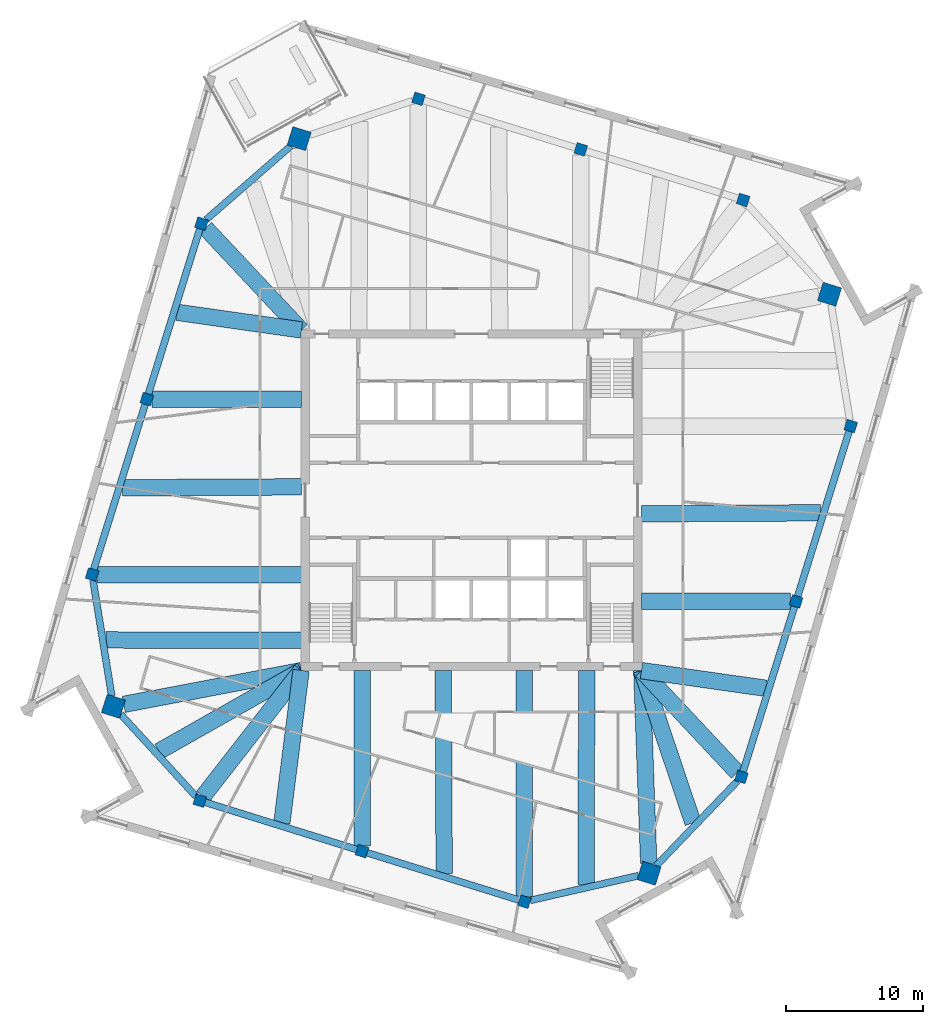
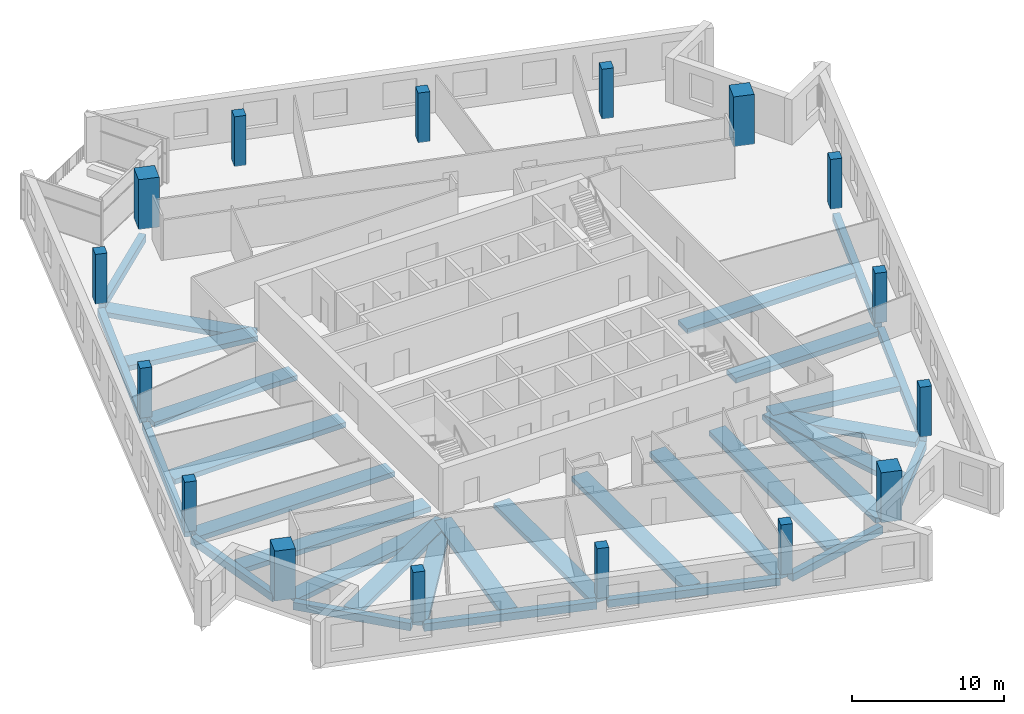
# One storey, part 1 of 15: 31 beams, 16 columns.
"""IFC4 building model written with IfcOpenShell, lengths in metres."""

from ifc_helpers import new_model, si_unit, direction, frame, origin, origin_2d, place, context, subcontext, project, spatial, rectangle, extrude, material, material_profile, profile_set, type_object, element, save


model = new_model("IFC4")

# Units and contexts
model_context = context("Model", 3, precision=1e-05, world=origin(), true_north=direction((0.0, 1.0)))
body_context = subcontext(model_context, "Body", "Model", "MODEL_VIEW")
ifc_project = project(units=[si_unit("LENGTHUNIT", "METRE"), si_unit("AREAUNIT", "SQUARE_METRE"), si_unit("VOLUMEUNIT", "CUBIC_METRE"), si_unit("PLANEANGLEUNIT", "RADIAN"), si_unit("MASSUNIT", "GRAM", prefix="KILO")], contexts=[model_context])

# Site, building, storey
site_placement = place(None, origin())
site = spatial("IfcSite", under=ifc_project, at=site_placement, CompositionType="ELEMENT")
building_placement = place(site_placement, origin())
building = spatial("IfcBuilding", under=site, at=building_placement, Name="Dilmun Exchange Tower", CompositionType="ELEMENT")
storey_placement = place(building_placement, frame((0.0, 0.0, 324.5)))
storey = spatial("IfcBuildingStorey", under=building, at=storey_placement, Name="L77", CompositionType="ELEMENT", Elevation=324.5)

# Columns
ifc_material_1 = material(Name="Concrete C50/60", Category="concrete")
ifc_material_profile_1 = material_profile(ifc_material_1, rectangle(XDim=1.39990234375, YDim=1.39990234375, at=origin_2d()), Name="1400 x 1400")
ifc_profile_set_1 = profile_set([ifc_material_profile_1], Name="Concrete C50/60")
column_type_1 = type_object("IfcColumnType", Name="RC mega column 1400 x 1400 C50/60", PredefinedType="COLUMN", material=ifc_profile_set_1)
for number, where, z_axis, x_axis, name in (
    (1, (-12.537109375, 26.322021484375, 0.0), (0.0, 0.0, 1.0), (0.297503182032, 0.954720826567, 0.0), "Mega column M1"),
    (2, (-26.06005859375, -14.9951171875, 0.0), (0.0, 0.0, 1.0), (0.297503182032, 0.954720826567, 0.0), "Mega column M2"),
    (3, (12.928955078125, -27.14404296875, 0.0), (0.0, 0.0, 1.0), (0.297503182032, 0.954720826567, 0.0), "Mega column M3"),
    (4, (26.06005859375, 14.9951171875, 0.0), (0.0, 0.0, 1.0), (0.297503182032, 0.954720826567, 0.0), "Mega column M4"),
):
    element("IfcColumn", number, at=place(storey_placement, frame(where, z_axis=z_axis, x_axis=x_axis)), inside=storey, type_object=column_type_1, Name=name, PredefinedType="COLUMN", context=body_context, shape_type="SweptSolid", body=[
        extrude(rectangle(XDim=1.39990234375, YDim=1.39990234375, at=origin_2d()), origin(), (0.0, 0.0, 1.0), 4.0),
    ])
ifc_material_profile_2 = material_profile(ifc_material_1, rectangle(XDim=0.800048828125, YDim=0.800048828125, at=origin_2d()), Name="800 x 800")
ifc_profile_set_2 = profile_set([ifc_material_profile_2], Name="Concrete C50/60")
column_type_2 = type_object("IfcColumnType", Name="RC ring column 800 x 800 C50/60", PredefinedType="COLUMN", material=ifc_profile_set_2)
for number, where, z_axis, x_axis, name in (
    (5, (-19.64990234375, 20.133056640625, 0.0), (0.0, 0.0, 1.0), (0.297503182032, 0.954720826567, 0.0), "Ring column R01"),
    (6, (-23.62890625, 7.363037109375, 0.0), (0.0, 0.0, 1.0), (0.297503182032, 0.954720826567, 0.0), "Ring column R02"),
    (7, (-27.60791015625, -5.406005859375, 0.0), (0.0, 0.0, 1.0), (0.297503182032, 0.954720826567, 0.0), "Ring column R03"),
    (8, (-19.77294921875, -21.85693359375, 0.0), (0.0, 0.0, 1.0), (0.297503182032, 0.954720826567, 0.0), "Ring column R04"),
    (9, (-7.9580078125, -25.5390625, 0.0), (0.0, 0.0, 1.0), (0.297503182032, 0.954720826567, 0.0), "Ring column R05"),
    (10, (3.85595703125, -29.219970703125, 0.0), (0.0, 0.0, 1.0), (0.297503182032, 0.954720826567, 0.0), "Ring column R06"),
    (11, (19.64990234375, -20.133056640625, 0.0), (0.0, 0.0, 1.0), (0.297503182032, 0.954720826567, 0.0), "Ring column R07"),
    (12, (23.62890625, -7.363037109375, 0.0), (0.0, 0.0, 1.0), (0.297503182032, 0.954720826567, 0.0), "Ring column R08"),
    (13, (27.60791015625, 5.406005859375, 0.0), (0.0, 0.0, 1.0), (0.297503182032, 0.954720826567, 0.0), "Ring column R09"),
    (14, (19.77294921875, 21.85693359375, 0.0), (0.0, 0.0, 1.0), (0.297503182032, 0.954720826567, 0.0), "Ring column R10"),
    (15, (7.9580078125, 25.5390625, 0.0), (0.0, 0.0, 1.0), (0.297503182032, 0.954720826567, 0.0), "Ring column R11"),
    (16, (-3.85595703125, 29.219970703125, 0.0), (0.0, 0.0, 1.0), (0.297503182032, 0.954720826567, 0.0), "Ring column R12"),
):
    element("IfcColumn", number, at=place(storey_placement, frame(where, z_axis=z_axis, x_axis=x_axis)), inside=storey, type_object=column_type_2, Name=name, PredefinedType="COLUMN", context=body_context, shape_type="SweptSolid", body=[
        extrude(rectangle(XDim=0.800048828125, YDim=0.800048828125, at=origin_2d()), origin(), (0.0, 0.0, 1.0), 4.0),
    ])

# Beams
ifc_material_2 = material(Name="Concrete C40/50", Category="concrete")
ifc_material_profile_3 = material_profile(ifc_material_2, rectangle(XDim=1.199951171875, YDim=0.39990234375, at=origin_2d()), Name="1200 x 400")
ifc_profile_set_3 = profile_set([ifc_material_profile_3], Name="Concrete C40/50")
beam_type_1 = type_object("IfcBeamType", Name="RC band beam 1200 x 400 C40/50", PredefinedType="BEAM", material=ifc_profile_set_3)
beam_1_placement = place(storey_placement, frame((-19.35400390625, 19.8173828125, -0.64990234375), z_axis=(0.683952281649, -0.729526748261, 0.0), x_axis=(0.729526748261, 0.683952281649, 0.0)))
element("IfcBeam", 17, at=beam_1_placement, inside=storey, type_object=beam_type_1, Name="Band beam 2", PredefinedType="BEAM", context=body_context, shape_type="SweptSolid", body=[
    extrude(rectangle(XDim=1.199951171875, YDim=0.39990234375, at=origin_2d()), origin(), (0.0, 0.0, 1.0), 10.1943359375),
])
beam_2_placement = place(storey_placement, frame((-23.237060546875, 7.363037109375, -0.64990234375), z_axis=(1.0, 0.0, 0.0), x_axis=(0.0, 1.0, 0.0)))
element("IfcBeam", 18, at=beam_2_placement, inside=storey, type_object=beam_type_1, Name="Band beam 3", PredefinedType="BEAM", context=body_context, shape_type="SweptSolid", body=[
    extrude(rectangle(XDim=1.199951171875, YDim=0.39990234375, at=origin_2d()), origin(), (0.0, 0.0, 1.0), 10.864013671875),
])
beam_3_placement = place(storey_placement, frame((-27.216064453125, -5.406005859375, -0.64990234375), z_axis=(1.0, 0.0, 0.0), x_axis=(0.0, 1.0, 0.0)))
element("IfcBeam", 19, at=beam_3_placement, inside=storey, type_object=beam_type_1, Name="Band beam 4", PredefinedType="BEAM", context=body_context, shape_type="SweptSolid", body=[
    extrude(rectangle(XDim=1.199951171875, YDim=0.39990234375, at=origin_2d()), origin(), (0.0, 0.0, 1.0), 14.843017578125),
])
beam_4_placement = place(storey_placement, frame((-25.30712890625, -14.85205078125, -0.64990234375), z_axis=(0.982429348436, 0.18663487169, 0.0), x_axis=(-0.18663487169, 0.982429348436, 0.0)))
element("IfcBeam", 20, at=beam_4_placement, inside=storey, type_object=beam_type_1, Name="Band beam 5", PredefinedType="BEAM", context=body_context, shape_type="SweptSolid", body=[
    extrude(rectangle(XDim=1.199951171875, YDim=0.39990234375, at=origin_2d()), origin(), (0.0, 0.0, 1.0), 13.164794921875),
])
beam_5_placement = place(storey_placement, frame((-19.52685546875, -21.541259765625, -0.64990234375), z_axis=(0.614856714099, 0.788638840743, 0.0), x_axis=(-0.788638840743, 0.614856714099, 0.0)))
element("IfcBeam", 21, at=beam_5_placement, inside=storey, type_object=beam_type_1, Name="Band beam 6", PredefinedType="BEAM", context=body_context, shape_type="SweptSolid", body=[
    extrude(rectangle(XDim=1.199951171875, YDim=0.39990234375, at=origin_2d()), origin(), (0.0, 0.0, 1.0), 11.6181640625),
])
beam_6_placement = place(storey_placement, frame((-7.9580078125, -25.14697265625, -0.64990234375), z_axis=(0.0, 1.0, 0.0), x_axis=(-1.0, 0.0, 0.0)))
element("IfcBeam", 22, at=beam_6_placement, inside=storey, type_object=beam_type_1, Name="Band beam 7", PredefinedType="BEAM", context=body_context, shape_type="SweptSolid", body=[
    extrude(rectangle(XDim=1.199951171875, YDim=0.39990234375, at=origin_2d()), origin(), (0.0, 0.0, 1.0), 12.77392578125),
])
beam_7_placement = place(storey_placement, frame((3.85595703125, -28.827880859375, -0.64990234375), z_axis=(0.0, 1.0, 0.0), x_axis=(-1.0, 0.0, 0.0)))
element("IfcBeam", 23, at=beam_7_placement, inside=storey, type_object=beam_type_1, Name="Band beam 8", PredefinedType="BEAM", context=body_context, shape_type="SweptSolid", body=[
    extrude(rectangle(XDim=1.199951171875, YDim=0.39990234375, at=origin_2d()), origin(), (0.0, 0.0, 1.0), 16.454833984375),
])
beam_8_placement = place(storey_placement, frame((12.9033203125, -26.429443359375, -0.64990234375), z_axis=(-0.035860549827, 0.999356803632, 0.0), x_axis=(-0.999356803632, -0.035860549827, 0.0)))
element("IfcBeam", 24, at=beam_8_placement, inside=storey, type_object=beam_type_1, Name="Band beam 9", PredefinedType="BEAM", context=body_context, shape_type="SweptSolid", body=[
    extrude(rectangle(XDim=1.199951171875, YDim=0.39990234375, at=origin_2d()), origin(), (0.0, 0.0, 1.0), 14.0654296875),
])
beam_9_placement = place(storey_placement, frame((19.35400390625, -19.8173828125, -0.64990234375), z_axis=(-0.683952281649, 0.729526748261, 0.0), x_axis=(-0.729526748261, -0.683952281649, 0.0)))
element("IfcBeam", 25, at=beam_9_placement, inside=storey, type_object=beam_type_1, Name="Band beam 10", PredefinedType="BEAM", context=body_context, shape_type="SweptSolid", body=[
    extrude(rectangle(XDim=1.199951171875, YDim=0.39990234375, at=origin_2d()), origin(), (0.0, 0.0, 1.0), 10.1943359375),
])
beam_10_placement = place(storey_placement, frame((23.237060546875, -7.363037109375, -0.64990234375), z_axis=(-1.0, 0.0, 0.0), x_axis=(0.0, -1.0, 0.0)))
element("IfcBeam", 26, at=beam_10_placement, inside=storey, type_object=beam_type_1, Name="Band beam 11", PredefinedType="BEAM", context=body_context, shape_type="SweptSolid", body=[
    extrude(rectangle(XDim=1.199951171875, YDim=0.39990234375, at=origin_2d()), origin(), (0.0, 0.0, 1.0), 10.864013671875),
])
beam_11_placement = place(storey_placement, frame((-21.426513671875, 13.681640625, -0.550048828125), z_axis=(0.990066629404, -0.140598966357, 0.0), x_axis=(0.140598966357, 0.990066629404, 0.0)))
element("IfcBeam", 27, at=beam_11_placement, inside=storey, type_object=beam_type_1, Name="Band beam 18", PredefinedType="BEAM", context=body_context, shape_type="SweptSolid", body=[
    extrude(rectangle(XDim=1.199951171875, YDim=0.39990234375, at=origin_2d()), origin(), (0.0, 0.0, 1.0), 9.14404296875),
])
beam_12_placement = place(storey_placement, frame((-25.405517578125, 0.912109375, -0.550048828125), z_axis=(0.999987018468, 0.005095379798, 0.0), x_axis=(-0.005095379798, 0.999987018468, 0.0)))
element("IfcBeam", 28, at=beam_12_placement, inside=storey, type_object=beam_type_1, Name="Band beam 19", PredefinedType="BEAM", context=body_context, shape_type="SweptSolid", body=[
    extrude(rectangle(XDim=1.199951171875, YDim=0.39990234375, at=origin_2d()), origin(), (0.0, 0.0, 1.0), 13.03271484375),
])
beam_13_placement = place(storey_placement, frame((-26.614013671875, -10.1650390625, -0.550048828125), z_axis=(0.999996910379, -0.002485806038, 0.0), x_axis=(0.002485806038, 0.999996910379, 0.0)))
element("IfcBeam", 29, at=beam_13_placement, inside=storey, type_object=beam_type_1, Name="Band beam 20", PredefinedType="BEAM", context=body_context, shape_type="SweptSolid", body=[
    extrude(rectangle(XDim=1.199951171875, YDim=0.39990234375, at=origin_2d()), origin(), (0.0, 0.0, 1.0), 14.240966796875),
])
beam_14_placement = place(storey_placement, frame((-22.752197265625, -18.275390625, -0.550048828125), z_axis=(0.869690188955, 0.493597989496, 0.0), x_axis=(-0.493597989496, 0.869690188955, 0.0)))
element("IfcBeam", 30, at=beam_14_placement, inside=storey, type_object=beam_type_1, Name="Band beam 21", PredefinedType="BEAM", context=body_context, shape_type="SweptSolid", body=[
    extrude(rectangle(XDim=1.199951171875, YDim=0.39990234375, at=origin_2d()), origin(), (0.0, 0.0, 1.0), 11.93017578125),
])
beam_15_placement = place(storey_placement, frame((-13.79931640625, -23.485107421875, -0.550048828125), z_axis=(0.125252659456, 0.992124876867, 0.0), x_axis=(-0.992124876867, 0.125252659456, 0.0)))
element("IfcBeam", 31, at=beam_15_placement, inside=storey, type_object=beam_type_1, Name="Band beam 22", PredefinedType="BEAM", context=body_context, shape_type="SweptSolid", body=[
    extrude(rectangle(XDim=1.199951171875, YDim=0.39990234375, at=origin_2d()), origin(), (0.0, 0.0, 1.0), 11.199951171875),
])
beam_16_placement = place(storey_placement, frame((-1.984619140625, -27.16650390625, -0.550048828125), z_axis=(-0.004488848064, 0.999989925071, 0.0), x_axis=(-0.999989925071, -0.004488848064, 0.0)))
element("IfcBeam", 32, at=beam_16_placement, inside=storey, type_object=beam_type_1, Name="Band beam 23", PredefinedType="BEAM", context=body_context, shape_type="SweptSolid", body=[
    extrude(rectangle(XDim=1.199951171875, YDim=0.39990234375, at=origin_2d()), origin(), (0.0, 0.0, 1.0), 14.793701171875),
])
beam_17_placement = place(storey_placement, frame((8.3427734375, -27.964599609375, -0.550048828125), z_axis=(0.003194321582, 0.999994898142, 0.0), x_axis=(-0.999994898142, 0.003194321582, 0.0)))
element("IfcBeam", 33, at=beam_17_placement, inside=storey, type_object=beam_type_1, Name="Band beam 24", PredefinedType="BEAM", context=body_context, shape_type="SweptSolid", body=[
    extrude(rectangle(XDim=1.199951171875, YDim=0.39990234375, at=origin_2d()), origin(), (0.0, 0.0, 1.0), 15.591552734375),
])
beam_18_placement = place(storey_placement, frame((16.12841796875, -23.484130859375, -0.550048828125), z_axis=(-0.318844720982, 0.947806965527, 0.0), x_axis=(-0.947806965527, -0.318844720982, 0.0)))
element("IfcBeam", 34, at=beam_18_placement, inside=storey, type_object=beam_type_1, Name="Band beam 25", PredefinedType="BEAM", context=body_context, shape_type="SweptSolid", body=[
    extrude(rectangle(XDim=1.199951171875, YDim=0.39990234375, at=origin_2d()), origin(), (0.0, 0.0, 1.0), 11.721435546875),
])
beam_19_placement = place(storey_placement, frame((21.426513671875, -13.681640625, -0.550048828125), z_axis=(-0.990066629404, 0.140598966357, 0.0), x_axis=(-0.140598966357, -0.990066629404, 0.0)))
element("IfcBeam", 35, at=beam_19_placement, inside=storey, type_object=beam_type_1, Name="Band beam 26", PredefinedType="BEAM", context=body_context, shape_type="SweptSolid", body=[
    extrude(rectangle(XDim=1.199951171875, YDim=0.39990234375, at=origin_2d()), origin(), (0.0, 0.0, 1.0), 9.14404296875),
])
beam_20_placement = place(storey_placement, frame((25.405517578125, -0.912109375, -0.550048828125), z_axis=(-0.999987018468, -0.005095379798, 0.0), x_axis=(0.005095379798, -0.999987018468, 0.0)))
element("IfcBeam", 36, at=beam_20_placement, inside=storey, type_object=beam_type_1, Name="Band beam 27", PredefinedType="BEAM", context=body_context, shape_type="SweptSolid", body=[
    extrude(rectangle(XDim=1.199951171875, YDim=0.39990234375, at=origin_2d()), origin(), (0.0, 0.0, 1.0), 13.03271484375),
])
ifc_material_profile_4 = material_profile(ifc_material_2, rectangle(XDim=0.5, YDim=0.60009765625, at=origin_2d()), Name="500 x 600")
ifc_profile_set_4 = profile_set([ifc_material_profile_4], Name="Concrete C40/50")
beam_type_2 = type_object("IfcBeamType", Name="RC ring beam 500 x 600 C40/50", PredefinedType="SPANDREL", material=ifc_profile_set_4)
beam_21_placement = place(storey_placement, frame((-13.13720703125, 25.7998046875, -0.64990234375), z_axis=(-0.754412964807, -0.656400090289, 0.0), x_axis=(0.656400090289, -0.754412964807, 0.0)))
element("IfcBeam", 37, at=beam_21_placement, inside=storey, type_object=beam_type_2, Name="Ring beam 1", PredefinedType="SPANDREL", context=body_context, shape_type="SweptSolid", body=[
    extrude(rectangle(XDim=0.5, YDim=0.60009765625, at=origin_2d()), origin(), (0.0, 0.0, 1.0), 8.190185546875),
])
beam_22_placement = place(storey_placement, frame((-19.760986328125, 19.77685546875, -0.64990234375), z_axis=(-0.297481296371, -0.954727646143, 0.0), x_axis=(0.954727646143, -0.297481296371, 0.0)))
element("IfcBeam", 38, at=beam_22_placement, inside=storey, type_object=beam_type_2, Name="Ring beam 2", PredefinedType="SPANDREL", context=body_context, shape_type="SweptSolid", body=[
    extrude(rectangle(XDim=0.5, YDim=0.60009765625, at=origin_2d()), origin(), (0.0, 0.0, 1.0), 12.629638671875),
])
beam_23_placement = place(storey_placement, frame((-23.739990234375, 7.0068359375, -0.64990234375), z_axis=(-0.297508749799, -0.954719091562, 0.0), x_axis=(0.954719091562, -0.297508749799, 0.0)))
element("IfcBeam", 39, at=beam_23_placement, inside=storey, type_object=beam_type_2, Name="Ring beam 3", PredefinedType="SPANDREL", context=body_context, shape_type="SweptSolid", body=[
    extrude(rectangle(XDim=0.5, YDim=0.60009765625, at=origin_2d()), origin(), (0.0, 0.0, 1.0), 12.62841796875),
])
beam_24_placement = place(storey_placement, frame((-27.541015625, -5.820556640625, -0.64990234375), z_axis=(0.159356501233, -0.987221102649, 0.0), x_axis=(0.987221102649, 0.159356501233, 0.0)))
element("IfcBeam", 40, at=beam_24_placement, inside=storey, type_object=beam_type_2, Name="Ring beam 4", PredefinedType="SPANDREL", context=body_context, shape_type="SweptSolid", body=[
    extrude(rectangle(XDim=0.5, YDim=0.60009765625, at=origin_2d()), origin(), (0.0, 0.0, 1.0), 8.5380859375),
])
beam_25_placement = place(storey_placement, frame((-25.531005859375, -15.572265625, -0.64990234375), z_axis=(0.675535971399, -0.737327031476, 0.0), x_axis=(0.737327031476, 0.675535971399, 0.0)))
element("IfcBeam", 41, at=beam_25_placement, inside=storey, type_object=beam_type_2, Name="Ring beam 5", PredefinedType="SPANDREL", context=body_context, shape_type="SweptSolid", body=[
    extrude(rectangle(XDim=0.5, YDim=0.60009765625, at=origin_2d()), origin(), (0.0, 0.0, 1.0), 8.087890625),
])
beam_26_placement = place(storey_placement, frame((-19.4169921875, -21.968017578125, -0.64990234375), z_axis=(0.95471613385, -0.297518241065, 0.0), x_axis=(0.297518241065, 0.95471613385, 0.0)))
element("IfcBeam", 42, at=beam_26_placement, inside=storey, type_object=beam_type_2, Name="Ring beam 6", PredefinedType="SPANDREL", context=body_context, shape_type="SweptSolid", body=[
    extrude(rectangle(XDim=0.5, YDim=0.60009765625, at=origin_2d()), origin(), (0.0, 0.0, 1.0), 11.62939453125),
])
beam_27_placement = place(storey_placement, frame((-7.601806640625, -25.64990234375, -0.64990234375), z_axis=(0.954732553331, -0.297465546931, 0.0), x_axis=(0.297465546931, 0.954732553331, 0.0)))
element("IfcBeam", 43, at=beam_27_placement, inside=storey, type_object=beam_type_2, Name="Ring beam 7", PredefinedType="SPANDREL", context=body_context, shape_type="SweptSolid", body=[
    extrude(rectangle(XDim=0.5, YDim=0.60009765625, at=origin_2d()), origin(), (0.0, 0.0, 1.0), 11.628173828125),
])
beam_28_placement = place(storey_placement, frame((4.28076171875, -29.122802734375, -0.64990234375), z_axis=(0.974807153913, 0.223049350324, 0.0), x_axis=(-0.223049350324, 0.974807153913, 0.0)))
element("IfcBeam", 44, at=beam_28_placement, inside=storey, type_object=beam_type_2, Name="Ring beam 8", PredefinedType="SPANDREL", context=body_context, shape_type="SweptSolid", body=[
    extrude(rectangle(XDim=0.5, YDim=0.60009765625, at=origin_2d()), origin(), (0.0, 0.0, 1.0), 8.0888671875),
])
beam_29_placement = place(storey_placement, frame((13.451416015625, -26.598876953125, -0.64990234375), z_axis=(0.692021502551, 0.721876887016, 0.0), x_axis=(-0.721876887016, 0.692021502551, 0.0)))
element("IfcBeam", 45, at=beam_29_placement, inside=storey, type_object=beam_type_2, Name="Ring beam 9", PredefinedType="SPANDREL", context=body_context, shape_type="SweptSolid", body=[
    extrude(rectangle(XDim=0.5, YDim=0.60009765625, at=origin_2d()), origin(), (0.0, 0.0, 1.0), 8.537353515625),
])
beam_30_placement = place(storey_placement, frame((19.760986328125, -19.77685546875, -0.64990234375), z_axis=(0.297481296371, 0.954727646143, 0.0), x_axis=(-0.954727646143, 0.297481296371, 0.0)))
element("IfcBeam", 46, at=beam_30_placement, inside=storey, type_object=beam_type_2, Name="Ring beam 10", PredefinedType="SPANDREL", context=body_context, shape_type="SweptSolid", body=[
    extrude(rectangle(XDim=0.5, YDim=0.60009765625, at=origin_2d()), origin(), (0.0, 0.0, 1.0), 12.629638671875),
])
beam_31_placement = place(storey_placement, frame((23.739990234375, -7.0068359375, -0.64990234375), z_axis=(0.297508749799, 0.954719091562, 0.0), x_axis=(-0.954719091562, 0.297508749799, 0.0)))
element("IfcBeam", 47, at=beam_31_placement, inside=storey, type_object=beam_type_2, Name="Ring beam 11", PredefinedType="SPANDREL", context=body_context, shape_type="SweptSolid", body=[
    extrude(rectangle(XDim=0.5, YDim=0.60009765625, at=origin_2d()), origin(), (0.0, 0.0, 1.0), 12.62841796875),
])

save(model, "model.ifc")
